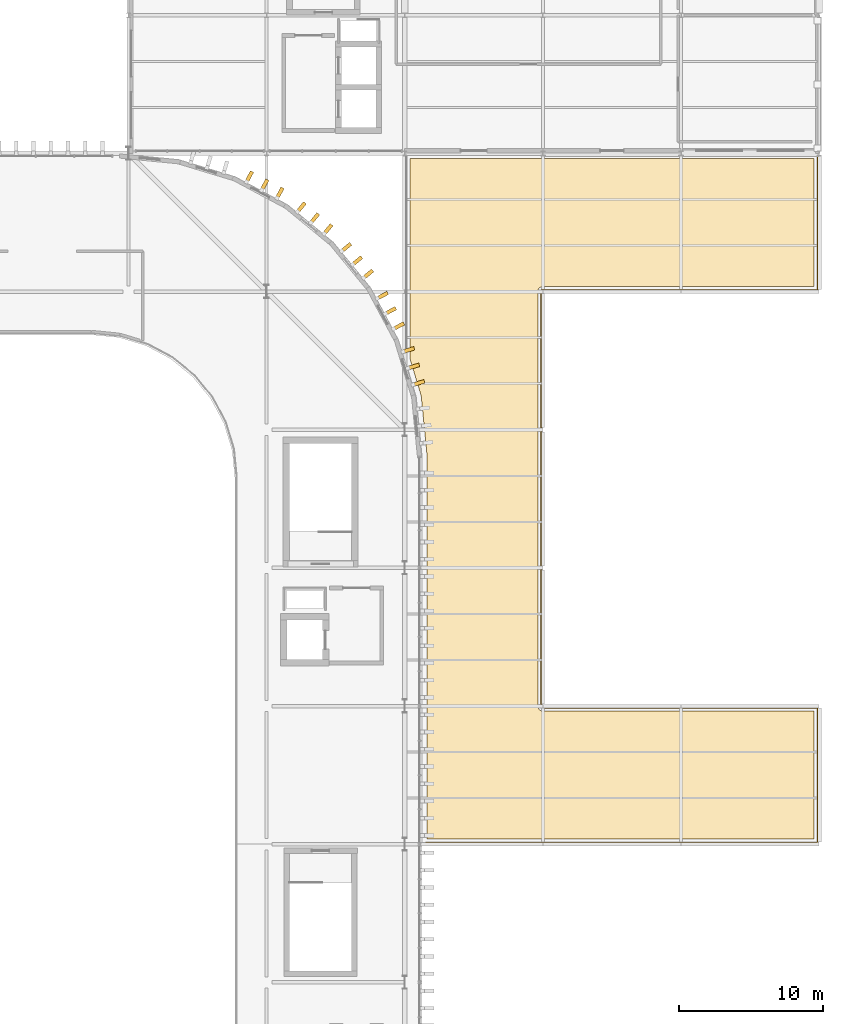
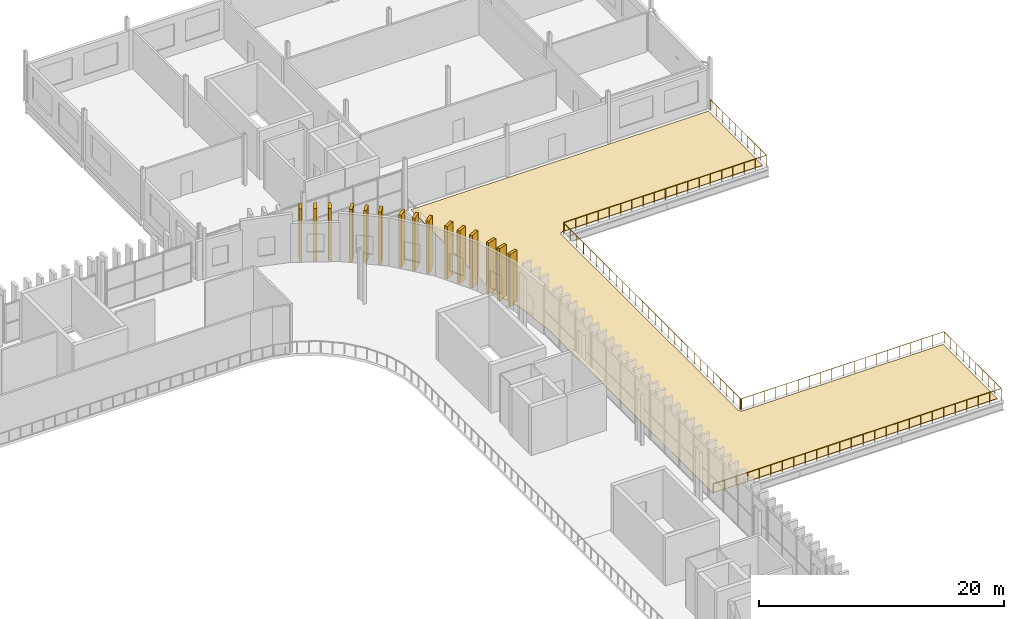
# One storey, part 44 of 45: 16 coverings, 1 railing.
"""IFC4 building model written with IfcOpenShell, lengths in metres."""

from ifc_helpers import new_model, si_unit, direction, frame, origin, origin_2d, place, context, subcontext, project, spatial, polyline, rectangle, circle, outline, extrude, material, layer, layer_set, material_profile, profile_set, type_object, element, save


model = new_model("IFC4")

# Units and contexts
model_context = context("Model", 3, precision=1e-05, world=origin(), true_north=direction((0.0, 1.0)))
body_context = subcontext(model_context, "Body", "Model", "MODEL_VIEW")
ifc_project = project(units=[si_unit("LENGTHUNIT", "METRE"), si_unit("AREAUNIT", "SQUARE_METRE"), si_unit("VOLUMEUNIT", "CUBIC_METRE"), si_unit("PLANEANGLEUNIT", "RADIAN"), si_unit("MASSUNIT", "GRAM", prefix="KILO")], contexts=[model_context])

# Site, building, storey
site_placement = place(None, origin())
site = spatial("IfcSite", under=ifc_project, at=site_placement, CompositionType="ELEMENT")
building_placement = place(site_placement, origin())
building = spatial("IfcBuilding", under=site, at=building_placement, Name="Caelomonte Colonnade Arena", CompositionType="ELEMENT")
storey_placement = place(building_placement, frame((0.0, 0.0, 23.10009765625)))
storey = spatial("IfcBuildingStorey", under=building, at=storey_placement, Name="L05", CompositionType="ELEMENT", Elevation=23.10009765625)

# Coverings
ifc_material_1 = material(Name="Travertine colonnade arrival paving", Category="masonry")
ifc_layer = layer(ifc_material_1, 0.0400390625)
ifc_layer_set = layer_set([ifc_layer], Name="Travertine colonnade arrival paving")
covering_type_1 = type_object("IfcCoveringType", Name="ENV-CV-PAV25", PredefinedType="FLOORING", material=ifc_layer_set)
covering_placement = place(storey_placement, origin())
element("IfcCovering", 1, at=covering_placement, inside=storey, type_object=covering_type_1, Name="Media Sky Courtyard Terrace travertine terrace paving 6", PredefinedType="FLOORING", context=body_context, shape_type="SweptSolid", body=[
    extrude(outline(polyline([(164.75, 67.550048828125), (191.64990234375, 67.550048828125), (191.64990234375, 76.449951171875), (172.800048828125, 76.449951171875), (172.765625, 76.45166015625), (172.731689453125, 76.456787109375), (172.698486328125, 76.465087890625), (172.666015625, 76.4765625), (172.635009765625, 76.4912109375), (172.605712890625, 76.509033203125), (172.577880859375, 76.529296875), (172.552490234375, 76.552490234375), (172.529296875, 76.577880859375), (172.509033203125, 76.605712890625), (172.4912109375, 76.635009765625), (172.4765625, 76.666015625), (172.465087890625, 76.698486328125), (172.456787109375, 76.731689453125), (172.45166015625, 76.765625), (172.449951171875, 76.800048828125), (172.449951171875, 105.60009765625), (172.45166015625, 105.63427734375), (172.456787109375, 105.668212890625), (172.465087890625, 105.70166015625), (172.4765625, 105.73388671875), (172.4912109375, 105.764892578125), (172.509033203125, 105.79443359375), (172.529296875, 105.822021484375), (172.552490234375, 105.847412109375), (172.577880859375, 105.87060546875), (172.605712890625, 105.89111328125), (172.635009765625, 105.90869140625), (172.666015625, 105.92333984375), (172.698486328125, 105.934814453125), (172.731689453125, 105.943359375), (172.765625, 105.9482421875), (172.800048828125, 105.949951171875), (191.64990234375, 105.949951171875), (191.64990234375, 114.85009765625), (163.550048828125, 114.85009765625), (163.550048828125, 100.974609375), (164.331298828125, 98.3984375), (164.33984375, 98.365234375), (164.3447265625, 98.331298828125), (164.748291015625, 94.234375), (164.75, 94.199951171875), (164.75, 67.550048828125)])), origin(), (0.0, 0.0, 1.0), 0.039794921875),
])
ifc_material_2 = material(Name="Precast travertine cladding", Category="masonry")
ifc_material_profile = material_profile(ifc_material_2, rectangle(XDim=0.260009765625, YDim=0.85009765625, at=origin_2d()), Name="FIN260X850")
ifc_profile_set = profile_set([ifc_material_profile], Name="Precast travertine cladding")
covering_type_2 = type_object("IfcCoveringType", Name="ENV-FN-SHAFT", PredefinedType="CLADDING", material=ifc_profile_set)
for number, where, z_axis, x_axis, name in (
    (2, (164.150146484375, 99.240478515625, -0.16015625), (0.0, 0.0, 1.0), (0.290276326364, -0.956942868907, 0.0), "V1 L05 classical travertine vertical fin 72"),
    (3, (163.802001953125, 100.388916015625, -0.16015625), (0.0, 0.0, 1.0), (0.290276326364, -0.956942868907, 0.0), "V1 L05 classical travertine vertical fin 73"),
    (4, (163.45361328125, 101.537109375, -0.16015625), (0.0, 0.0, 1.0), (0.290276326364, -0.956942868907, 0.0), "V1 L05 classical travertine vertical fin 74"),
    (5, (162.768310546875, 103.19189453125, -0.16015625), (0.0, 0.0, 1.0), (0.471396736826, -0.881921264348, 0.0), "V1 L05 classical travertine vertical fin 75"),
    (6, (162.202392578125, 104.250244140625, -0.16015625), (0.0, 0.0, 1.0), (0.471396736826, -0.881921264348, 0.0), "V1 L05 classical travertine vertical fin 76"),
    (7, (161.63671875, 105.30859375, -0.16015625), (0.0, 0.0, 1.0), (0.471396736826, -0.881921264348, 0.0), "V1 L05 classical travertine vertical fin 77"),
    (8, (160.641845703125, 106.797607421875, -0.16015625), (0.0, 0.0, 1.0), (0.634413521313, -0.77299384472, 0.0), "V1 L05 classical travertine vertical fin 78"),
    (9, (159.880615234375, 107.72509765625, -0.16015625), (0.0, 0.0, 1.0), (0.634413521313, -0.77299384472, 0.0), "V1 L05 classical travertine vertical fin 79"),
    (10, (159.119140625, 108.65283203125, -0.16015625), (0.0, 0.0, 1.0), (0.634413521313, -0.77299384472, 0.0), "V1 L05 classical travertine vertical fin 80"),
    (11, (157.852783203125, 109.919189453125, -0.16015625), (0.0, 0.0, 1.0), (0.77299384472, -0.634413521313, 0.0), "V1 L05 classical travertine vertical fin 81"),
    (12, (156.92529296875, 110.680419921875, -0.16015625), (0.0, 0.0, 1.0), (0.77299384472, -0.634413521313, 0.0), "V1 L05 classical travertine vertical fin 82"),
    (13, (155.99755859375, 111.44189453125, -0.16015625), (0.0, 0.0, 1.0), (0.77299384472, -0.634413521313, 0.0), "V1 L05 classical travertine vertical fin 83"),
    (14, (154.508544921875, 112.436767578125, -0.16015625), (0.0, 0.0, 1.0), (0.881921264348, -0.471396736826, 0.0), "V1 L05 classical travertine vertical fin 84"),
    (15, (153.4501953125, 113.00244140625, -0.16015625), (0.0, 0.0, 1.0), (0.881921264348, -0.471396736826, 0.0), "V1 L05 classical travertine vertical fin 85"),
    (16, (152.391845703125, 113.568115234375, -0.16015625), (0.0, 0.0, 1.0), (0.881921264348, -0.471396736826, 0.0), "V1 L05 classical travertine vertical fin 86"),
):
    element("IfcCovering", number, at=place(storey_placement, frame(where, z_axis=z_axis, x_axis=x_axis)), inside=storey, type_object=covering_type_2, Name=name, PredefinedType="CLADDING", context=body_context, shape_type="SweptSolid", body=[
        extrude(rectangle(XDim=0.260009765625, YDim=0.85009765625, at=origin_2d()), origin(), (0.0, 0.0, 1.0), 5.260009765625),
    ])

# Railing
ifc_material_3 = material(Name="Travertine limestone and bronze balustrade", Category="masonry")
railing_type = type_object("IfcRailingType", Name="ENV-RL-BAL1", PredefinedType="BALUSTRADE", material=ifc_material_3)
railing_placement = place(storey_placement, frame((191.8798828125, 114.919921875, 0.0)))
element("IfcRailing", 17, at=railing_placement, inside=storey, type_object=railing_type, Name="Media Sky Courtyard Terrace perimeter guard 2", PredefinedType="BALUSTRADE", context=body_context, shape_type="SweptSolid", body=[
    extrude(circle(Radius=0.02392578125, at=origin_2d()), frame((0.0, 0.0, 1.09619140625), z_axis=(0.0, -1.0, 0.0), x_axis=(1.0, 0.0, 0.0)), (0.0, 0.0, 1.0), 9.168701171875),
    extrude(circle(Radius=0.02392578125, at=origin_2d()), frame((-0.03125, -9.199951171875, 1.09619140625), z_axis=(-1.0, 0.0, 0.0), x_axis=(0.0, -1.0, 0.0)), (0.0, 0.0, 1.0), 19.017333984375),
    extrude(circle(Radius=0.02392578125, at=origin_2d()), frame((-19.111083984375, -9.201171875, 1.09619140625), z_axis=(-0.999168053101, -0.040782369514, 0.0), x_axis=(0.040782369514, -0.999168053101, 0.0)), (0.0, 0.0, 1.0), 0.050048828125),
    extrude(circle(Radius=0.02392578125, at=origin_2d()), frame((-19.122802734375, -9.205078125, 1.09619140625), z_axis=(-0.989090177882, -0.147311303089, 0.0), x_axis=(0.147311303089, -0.989090177882, 0.0)), (0.0, 0.0, 1.0), 0.050048828125),
    extrude(circle(Radius=0.02392578125, at=origin_2d()), frame((-19.133544921875, -9.2099609375, 1.09619140625), z_axis=(-0.968917710624, -0.247383245266, 0.0), x_axis=(0.247383245266, -0.968917710624, 0.0)), (0.0, 0.0, 1.0), 0.050048828125),
    extrude(circle(Radius=0.02392578125, at=origin_2d()), frame((-19.144287109375, -9.215576171875, 1.09619140625), z_axis=(-0.942214690279, -0.335009667655, 0.0), x_axis=(0.335009667655, -0.942214690279, 0.0)), (0.0, 0.0, 1.0), 0.050048828125),
    extrude(circle(Radius=0.02392578125, at=origin_2d()), frame((-19.154052734375, -9.222412109375, 1.09619140625), z_axis=(-0.902481037784, -0.430729586215, 0.0), x_axis=(0.430729586215, -0.902481037784, 0.0)), (0.0, 0.0, 1.0), 0.050048828125),
    extrude(circle(Radius=0.02392578125, at=origin_2d()), frame((-19.1630859375, -9.23046875, 1.09619140625), z_axis=(-0.853796175794, -0.520607424265, 0.0), x_axis=(0.520607424265, -0.853796175794, 0.0)), (0.0, 0.0, 1.0), 0.050048828125),
    extrude(circle(Radius=0.02392578125, at=origin_2d()), frame((-19.171875, -9.238525390625, 1.09619140625), z_axis=(-0.812323733592, -0.583206783091, 0.0), x_axis=(0.583206783091, -0.812323733592, 0.0)), (0.0, 0.0, 1.0), 0.050048828125),
    extrude(circle(Radius=0.02392578125, at=origin_2d()), frame((-19.178955078125, -9.248291015625, 1.09619140625), z_axis=(-0.737154140201, -0.675724628517, 0.0), x_axis=(0.675724628517, -0.737154140201, 0.0)), (0.0, 0.0, 1.0), 0.050048828125),
    extrude(circle(Radius=0.02392578125, at=origin_2d()), frame((-19.185546875, -9.258544921875, 1.09619140625), z_axis=(-0.66436383883, -0.747409318684, 0.0), x_axis=(0.747409318684, -0.66436383883, 0.0)), (0.0, 0.0, 1.0), 0.050048828125),
    extrude(circle(Radius=0.02392578125, at=origin_2d()), frame((-19.191650390625, -9.268798828125, 1.09619140625), z_axis=(-0.60667331935, -0.794951246045, 0.0), x_axis=(0.794951246045, -0.60667331935, 0.0)), (0.0, 0.0, 1.0), 0.050048828125),
    extrude(circle(Radius=0.02392578125, at=origin_2d()), frame((-19.195556640625, -9.280029296875, 1.09619140625), z_axis=(-0.511483859768, -0.85929288441, 0.0), x_axis=(0.85929288441, -0.511483859768, 0.0)), (0.0, 0.0, 1.0), 0.050048828125),
    extrude(circle(Radius=0.02392578125, at=origin_2d()), frame((-19.198974609375, -9.291748046875, 1.09619140625), z_axis=(-0.421730749716, -0.906721111889, 0.0), x_axis=(0.906721111889, -0.421730749716, 0.0)), (0.0, 0.0, 1.0), 0.050048828125),
    extrude(circle(Radius=0.02392578125, at=origin_2d()), frame((-19.200927734375, -9.303466796875, 1.09619140625), z_axis=(-0.328520624941, -0.944496796706, 0.0), x_axis=(0.944496796706, -0.328520624941, 0.0)), (0.0, 0.0, 1.0), 0.050048828125),
    extrude(circle(Radius=0.02392578125, at=origin_2d()), frame((-19.202392578125, -9.3154296875, 1.09619140625), z_axis=(-0.247383245266, -0.968917710624, 0.0), x_axis=(0.968917710624, -0.247383245266, 0.0)), (0.0, 0.0, 1.0), 0.050048828125),
    extrude(circle(Radius=0.02392578125, at=origin_2d()), frame((-19.2021484375, -9.32763671875, 1.09619140625), z_axis=(-0.147311303089, -0.989090177882, 0.0), x_axis=(0.989090177882, -0.147311303089, 0.0)), (0.0, 0.0, 1.0), 0.050048828125),
    extrude(circle(Radius=0.02392578125, at=origin_2d()), frame((-19.201171875, -9.33935546875, 1.09619140625), z_axis=(-0.062378286155, -0.998052578483, 0.0), x_axis=(0.998052578483, -0.062378286155, 0.0)), (0.0, 0.0, 1.0), 0.050048828125),
    extrude(circle(Radius=0.02392578125, at=origin_2d()), frame((-19.199951171875, -9.35107421875, 1.09619140625), z_axis=(0.0, -1.0, 0.0), x_axis=(1.0, 0.0, 0.0)), (0.0, 0.0, 1.0), 28.737548828125),
    extrude(circle(Radius=0.02392578125, at=origin_2d()), frame((-19.197998046875, -38.151123046875, 1.09619140625), z_axis=(0.06111006328, -0.998131033565, 0.0), x_axis=(0.998131033565, 0.06111006328, 0.0)), (0.0, 0.0, 1.0), 0.050048828125),
    extrude(circle(Radius=0.02392578125, at=origin_2d()), frame((-19.194580078125, -38.162841796875, 1.09619140625), z_axis=(0.147311303089, -0.989090177882, 0.0), x_axis=(0.989090177882, 0.147311303089, 0.0)), (0.0, 0.0, 1.0), 0.050048828125),
    extrude(circle(Radius=0.02392578125, at=origin_2d()), frame((-19.189697265625, -38.173583984375, 1.09619140625), z_axis=(0.247383245266, -0.968917710624, 0.0), x_axis=(0.968917710624, 0.247383245266, 0.0)), (0.0, 0.0, 1.0), 0.050048828125),
    extrude(circle(Radius=0.02392578125, at=origin_2d()), frame((-19.18408203125, -38.184326171875, 1.09619140625), z_axis=(0.335009667655, -0.942214690279, 0.0), x_axis=(0.942214690279, 0.335009667655, 0.0)), (0.0, 0.0, 1.0), 0.050048828125),
    extrude(circle(Radius=0.02392578125, at=origin_2d()), frame((-19.177734375, -38.1943359375, 1.09619140625), z_axis=(0.413802944301, -0.910366477463, 0.0), x_axis=(0.910366477463, 0.413802944301, 0.0)), (0.0, 0.0, 1.0), 0.050048828125),
    extrude(circle(Radius=0.02392578125, at=origin_2d()), frame((-19.16943359375, -38.203125, 1.09619140625), z_axis=(0.520607424265, -0.853796175794, 0.0), x_axis=(0.853796175794, 0.520607424265, 0.0)), (0.0, 0.0, 1.0), 0.050048828125),
    extrude(circle(Radius=0.02392578125, at=origin_2d()), frame((-19.1611328125, -38.211669921875, 1.09619140625), z_axis=(0.596702766345, -0.802462340946, 0.0), x_axis=(0.802462340946, 0.596702766345, 0.0)), (0.0, 0.0, 1.0), 0.050048828125),
    extrude(circle(Radius=0.02392578125, at=origin_2d()), frame((-19.15185546875, -38.219482421875, 1.09619140625), z_axis=(0.66436383883, -0.747409318684, 0.0), x_axis=(0.747409318684, 0.66436383883, 0.0)), (0.0, 0.0, 1.0), 0.050048828125),
    extrude(circle(Radius=0.02392578125, at=origin_2d()), frame((-19.141357421875, -38.2255859375, 1.09619140625), z_axis=(0.747409318684, -0.66436383883, 0.0), x_axis=(0.66436383883, 0.747409318684, 0.0)), (0.0, 0.0, 1.0), 0.050048828125),
    extrude(circle(Radius=0.02392578125, at=origin_2d()), frame((-19.130859375, -38.231201171875, 1.09619140625), z_axis=(0.802462340946, -0.596702766345, 0.0), x_axis=(0.596702766345, 0.802462340946, 0.0)), (0.0, 0.0, 1.0), 0.050048828125),
    extrude(circle(Radius=0.02392578125, at=origin_2d()), frame((-19.119873046875, -38.236083984375, 1.09619140625), z_axis=(0.853796175794, -0.520607424265, 0.0), x_axis=(0.520607424265, 0.853796175794, 0.0)), (0.0, 0.0, 1.0), 0.050048828125),
    extrude(circle(Radius=0.02392578125, at=origin_2d()), frame((-19.10791015625, -38.23876953125, 1.09619140625), z_axis=(0.910366477463, -0.413802944301, 0.0), x_axis=(0.413802944301, 0.910366477463, 0.0)), (0.0, 0.0, 1.0), 0.050048828125),
    extrude(circle(Radius=0.02392578125, at=origin_2d()), frame((-19.09619140625, -38.2412109375, 1.09619140625), z_axis=(0.942214690279, -0.335009667655, 0.0), x_axis=(0.335009667655, 0.942214690279, 0.0)), (0.0, 0.0, 1.0), 0.050048828125),
    extrude(circle(Radius=0.02392578125, at=origin_2d()), frame((-19.08447265625, -38.242431640625, 1.09619140625), z_axis=(0.968917710624, -0.247383245266, 0.0), x_axis=(0.247383245266, 0.968917710624, 0.0)), (0.0, 0.0, 1.0), 0.050048828125),
    extrude(circle(Radius=0.02392578125, at=origin_2d()), frame((-19.072265625, -38.2421875, 1.09619140625), z_axis=(0.989090177882, -0.147311303089, 0.0), x_axis=(0.147311303089, 0.989090177882, 0.0)), (0.0, 0.0, 1.0), 0.050048828125),
    extrude(circle(Radius=0.02392578125, at=origin_2d()), frame((-19.060546875, -38.2412109375, 1.09619140625), z_axis=(0.998131033565, -0.06111006328, 0.0), x_axis=(0.06111006328, 0.998131033565, 0.0)), (0.0, 0.0, 1.0), 0.050048828125),
    extrude(circle(Radius=0.02392578125, at=origin_2d()), frame((-19.048583984375, -38.239990234375, 1.09619140625), z_axis=(1.0, 0.0, 0.0), x_axis=(0.0, 1.0, 0.0)), (0.0, 0.0, 1.0), 19.017333984375),
    extrude(circle(Radius=0.02392578125, at=origin_2d()), frame((0.0, -38.271240234375, 1.09619140625), z_axis=(0.0, -1.0, 0.0), x_axis=(1.0, 0.0, 0.0)), (0.0, 0.0, 1.0), 9.29736328125),
    extrude(circle(Radius=0.02392578125, at=origin_2d()), frame((-0.03125, -47.599853515625, 1.09619140625), z_axis=(-1.0, 0.0, 0.0), x_axis=(0.0, -1.0, 0.0)), (0.0, 0.0, 1.0), 27.168701171875),
    extrude(circle(Radius=0.02099609375, at=origin_2d()), origin(), (0.0, 0.0, 1.0), 1.068115234375),
    extrude(circle(Radius=0.02099609375, at=origin_2d()), frame((0.0, -1.022216796875, 0.0)), (0.0, 0.0, 1.0), 1.068115234375),
    extrude(circle(Radius=0.02099609375, at=origin_2d()), frame((0.0, -2.04443359375, 0.0)), (0.0, 0.0, 1.0), 1.068115234375),
    extrude(circle(Radius=0.02099609375, at=origin_2d()), frame((0.0, -3.066650390625, 0.0)), (0.0, 0.0, 1.0), 1.068115234375),
    extrude(circle(Radius=0.02099609375, at=origin_2d()), frame((0.0, -4.0888671875, 0.0)), (0.0, 0.0, 1.0), 1.068115234375),
    extrude(circle(Radius=0.02099609375, at=origin_2d()), frame((0.0, -5.111083984375, 0.0)), (0.0, 0.0, 1.0), 1.068115234375),
    extrude(circle(Radius=0.02099609375, at=origin_2d()), frame((0.0, -6.13330078125, 0.0)), (0.0, 0.0, 1.0), 1.068115234375),
    extrude(circle(Radius=0.02099609375, at=origin_2d()), frame((0.0, -7.155517578125, 0.0)), (0.0, 0.0, 1.0), 1.068115234375),
    extrude(circle(Radius=0.02099609375, at=origin_2d()), frame((0.0, -8.177734375, 0.0)), (0.0, 0.0, 1.0), 1.068115234375),
    extrude(circle(Radius=0.02099609375, at=origin_2d()), frame((0.0, -9.199951171875, 0.0)), (0.0, 0.0, 1.0), 1.068115234375),
    extrude(circle(Radius=0.02099609375, at=origin_2d()), frame((-1.06005859375, -9.199951171875, 0.0)), (0.0, 0.0, 1.0), 1.068115234375),
    extrude(circle(Radius=0.02099609375, at=origin_2d()), frame((-2.119873046875, -9.199951171875, 0.0)), (0.0, 0.0, 1.0), 1.068115234375),
    extrude(circle(Radius=0.02099609375, at=origin_2d()), frame((-3.179931640625, -9.199951171875, 0.0)), (0.0, 0.0, 1.0), 1.068115234375),
    extrude(circle(Radius=0.02099609375, at=origin_2d()), frame((-4.239990234375, -9.199951171875, 0.0)), (0.0, 0.0, 1.0), 1.068115234375),
    extrude(circle(Radius=0.02099609375, at=origin_2d()), frame((-5.300048828125, -9.199951171875, 0.0)), (0.0, 0.0, 1.0), 1.068115234375),
    extrude(circle(Radius=0.02099609375, at=origin_2d()), frame((-6.35986328125, -9.199951171875, 0.0)), (0.0, 0.0, 1.0), 1.068115234375),
    extrude(circle(Radius=0.02099609375, at=origin_2d()), frame((-7.419921875, -9.199951171875, 0.0)), (0.0, 0.0, 1.0), 1.068115234375),
    extrude(circle(Radius=0.02099609375, at=origin_2d()), frame((-8.47998046875, -9.199951171875, 0.0)), (0.0, 0.0, 1.0), 1.068115234375),
    extrude(circle(Radius=0.02099609375, at=origin_2d()), frame((-9.5400390625, -9.199951171875, 0.0)), (0.0, 0.0, 1.0), 1.068115234375),
    extrude(circle(Radius=0.02099609375, at=origin_2d()), frame((-10.599853515625, -9.199951171875, 0.0)), (0.0, 0.0, 1.0), 1.068115234375),
    extrude(circle(Radius=0.02099609375, at=origin_2d()), frame((-11.659912109375, -9.199951171875, 0.0)), (0.0, 0.0, 1.0), 1.068115234375),
    extrude(circle(Radius=0.02099609375, at=origin_2d()), frame((-12.719970703125, -9.199951171875, 0.0)), (0.0, 0.0, 1.0), 1.068115234375),
    extrude(circle(Radius=0.02099609375, at=origin_2d()), frame((-13.77978515625, -9.199951171875, 0.0)), (0.0, 0.0, 1.0), 1.068115234375),
    extrude(circle(Radius=0.02099609375, at=origin_2d()), frame((-14.83984375, -9.199951171875, 0.0)), (0.0, 0.0, 1.0), 1.068115234375),
    extrude(circle(Radius=0.02099609375, at=origin_2d()), frame((-15.89990234375, -9.199951171875, 0.0)), (0.0, 0.0, 1.0), 1.068115234375),
    extrude(circle(Radius=0.02099609375, at=origin_2d()), frame((-16.9599609375, -9.199951171875, 0.0)), (0.0, 0.0, 1.0), 1.068115234375),
    extrude(circle(Radius=0.02099609375, at=origin_2d()), frame((-18.019775390625, -9.199951171875, 0.0)), (0.0, 0.0, 1.0), 1.068115234375),
    extrude(circle(Radius=0.02099609375, at=origin_2d()), frame((-19.079833984375, -9.199951171875, 0.0)), (0.0, 0.0, 1.0), 1.068115234375),
    extrude(circle(Radius=0.02099609375, at=origin_2d()), frame((-19.136474609375, -9.214111328125, 0.0)), (0.0, 0.0, 1.0), 1.068115234375),
    extrude(circle(Radius=0.02099609375, at=origin_2d()), frame((-19.1796875, -9.253173828125, 0.0)), (0.0, 0.0, 1.0), 1.068115234375),
    extrude(circle(Radius=0.02099609375, at=origin_2d()), frame((-19.19921875, -9.30810546875, 0.0)), (0.0, 0.0, 1.0), 1.068115234375),
    extrude(circle(Radius=0.02099609375, at=origin_2d()), frame((-19.199951171875, -10.386474609375, 0.0)), (0.0, 0.0, 1.0), 1.068115234375),
    extrude(circle(Radius=0.02099609375, at=origin_2d()), frame((-19.199951171875, -11.453125, 0.0)), (0.0, 0.0, 1.0), 1.068115234375),
    extrude(circle(Radius=0.02099609375, at=origin_2d()), frame((-19.199951171875, -12.519775390625, 0.0)), (0.0, 0.0, 1.0), 1.068115234375),
    extrude(circle(Radius=0.02099609375, at=origin_2d()), frame((-19.199951171875, -13.58642578125, 0.0)), (0.0, 0.0, 1.0), 1.068115234375),
    extrude(circle(Radius=0.02099609375, at=origin_2d()), frame((-19.199951171875, -14.653076171875, 0.0)), (0.0, 0.0, 1.0), 1.068115234375),
    extrude(circle(Radius=0.02099609375, at=origin_2d()), frame((-19.199951171875, -15.7197265625, 0.0)), (0.0, 0.0, 1.0), 1.068115234375),
    extrude(circle(Radius=0.02099609375, at=origin_2d()), frame((-19.199951171875, -16.78662109375, 0.0)), (0.0, 0.0, 1.0), 1.068115234375),
    extrude(circle(Radius=0.02099609375, at=origin_2d()), frame((-19.199951171875, -17.853271484375, 0.0)), (0.0, 0.0, 1.0), 1.068115234375),
    extrude(circle(Radius=0.02099609375, at=origin_2d()), frame((-19.199951171875, -18.919921875, 0.0)), (0.0, 0.0, 1.0), 1.068115234375),
    extrude(circle(Radius=0.02099609375, at=origin_2d()), frame((-19.199951171875, -19.986572265625, 0.0)), (0.0, 0.0, 1.0), 1.068115234375),
    extrude(circle(Radius=0.02099609375, at=origin_2d()), frame((-19.199951171875, -21.05322265625, 0.0)), (0.0, 0.0, 1.0), 1.068115234375),
    extrude(circle(Radius=0.02099609375, at=origin_2d()), frame((-19.199951171875, -22.119873046875, 0.0)), (0.0, 0.0, 1.0), 1.068115234375),
    extrude(circle(Radius=0.02099609375, at=origin_2d()), frame((-19.199951171875, -23.1865234375, 0.0)), (0.0, 0.0, 1.0), 1.068115234375),
    extrude(circle(Radius=0.02099609375, at=origin_2d()), frame((-19.199951171875, -24.253173828125, 0.0)), (0.0, 0.0, 1.0), 1.068115234375),
    extrude(circle(Radius=0.02099609375, at=origin_2d()), frame((-19.199951171875, -25.31982421875, 0.0)), (0.0, 0.0, 1.0), 1.068115234375),
    extrude(circle(Radius=0.02099609375, at=origin_2d()), frame((-19.199951171875, -26.386474609375, 0.0)), (0.0, 0.0, 1.0), 1.068115234375),
    extrude(circle(Radius=0.02099609375, at=origin_2d()), frame((-19.199951171875, -27.453125, 0.0)), (0.0, 0.0, 1.0), 1.068115234375),
    extrude(circle(Radius=0.02099609375, at=origin_2d()), frame((-19.199951171875, -28.519775390625, 0.0)), (0.0, 0.0, 1.0), 1.068115234375),
    extrude(circle(Radius=0.02099609375, at=origin_2d()), frame((-19.199951171875, -29.58642578125, 0.0)), (0.0, 0.0, 1.0), 1.068115234375),
    extrude(circle(Radius=0.02099609375, at=origin_2d()), frame((-19.199951171875, -30.653076171875, 0.0)), (0.0, 0.0, 1.0), 1.068115234375),
    extrude(circle(Radius=0.02099609375, at=origin_2d()), frame((-19.199951171875, -31.719970703125, 0.0)), (0.0, 0.0, 1.0), 1.068115234375),
    extrude(circle(Radius=0.02099609375, at=origin_2d()), frame((-19.199951171875, -32.78662109375, 0.0)), (0.0, 0.0, 1.0), 1.068115234375),
    extrude(circle(Radius=0.02099609375, at=origin_2d()), frame((-19.199951171875, -33.853271484375, 0.0)), (0.0, 0.0, 1.0), 1.068115234375),
    extrude(circle(Radius=0.02099609375, at=origin_2d()), frame((-19.199951171875, -34.919921875, 0.0)), (0.0, 0.0, 1.0), 1.068115234375),
    extrude(circle(Radius=0.02099609375, at=origin_2d()), frame((-19.199951171875, -35.986572265625, 0.0)), (0.0, 0.0, 1.0), 1.068115234375),
    extrude(circle(Radius=0.02099609375, at=origin_2d()), frame((-19.199951171875, -37.05322265625, 0.0)), (0.0, 0.0, 1.0), 1.068115234375),
    extrude(circle(Radius=0.02099609375, at=origin_2d()), frame((-19.199951171875, -38.119873046875, 0.0)), (0.0, 0.0, 1.0), 1.068115234375),
    extrude(circle(Radius=0.02099609375, at=origin_2d()), frame((-19.185791015625, -38.176513671875, 0.0)), (0.0, 0.0, 1.0), 1.068115234375),
    extrude(circle(Radius=0.02099609375, at=origin_2d()), frame((-19.146484375, -38.2197265625, 0.0)), (0.0, 0.0, 1.0), 1.068115234375),
    extrude(circle(Radius=0.02099609375, at=origin_2d()), frame((-19.091796875, -38.2392578125, 0.0)), (0.0, 0.0, 1.0), 1.068115234375),
    extrude(circle(Radius=0.02099609375, at=origin_2d()), frame((-18.019775390625, -38.239990234375, 0.0)), (0.0, 0.0, 1.0), 1.068115234375),
    extrude(circle(Radius=0.02099609375, at=origin_2d()), frame((-16.9599609375, -38.239990234375, 0.0)), (0.0, 0.0, 1.0), 1.068115234375),
    extrude(circle(Radius=0.02099609375, at=origin_2d()), frame((-15.89990234375, -38.239990234375, 0.0)), (0.0, 0.0, 1.0), 1.068115234375),
    extrude(circle(Radius=0.02099609375, at=origin_2d()), frame((-14.83984375, -38.239990234375, 0.0)), (0.0, 0.0, 1.0), 1.068115234375),
    extrude(circle(Radius=0.02099609375, at=origin_2d()), frame((-13.77978515625, -38.239990234375, 0.0)), (0.0, 0.0, 1.0), 1.068115234375),
    extrude(circle(Radius=0.02099609375, at=origin_2d()), frame((-12.719970703125, -38.239990234375, 0.0)), (0.0, 0.0, 1.0), 1.068115234375),
    extrude(circle(Radius=0.02099609375, at=origin_2d()), frame((-11.659912109375, -38.239990234375, 0.0)), (0.0, 0.0, 1.0), 1.068115234375),
    extrude(circle(Radius=0.02099609375, at=origin_2d()), frame((-10.599853515625, -38.239990234375, 0.0)), (0.0, 0.0, 1.0), 1.068115234375),
    extrude(circle(Radius=0.02099609375, at=origin_2d()), frame((-9.5400390625, -38.239990234375, 0.0)), (0.0, 0.0, 1.0), 1.068115234375),
    extrude(circle(Radius=0.02099609375, at=origin_2d()), frame((-8.47998046875, -38.239990234375, 0.0)), (0.0, 0.0, 1.0), 1.068115234375),
    extrude(circle(Radius=0.02099609375, at=origin_2d()), frame((-7.419921875, -38.239990234375, 0.0)), (0.0, 0.0, 1.0), 1.068115234375),
    extrude(circle(Radius=0.02099609375, at=origin_2d()), frame((-6.35986328125, -38.239990234375, 0.0)), (0.0, 0.0, 1.0), 1.068115234375),
    extrude(circle(Radius=0.02099609375, at=origin_2d()), frame((-5.300048828125, -38.239990234375, 0.0)), (0.0, 0.0, 1.0), 1.068115234375),
    extrude(circle(Radius=0.02099609375, at=origin_2d()), frame((-4.239990234375, -38.239990234375, 0.0)), (0.0, 0.0, 1.0), 1.068115234375),
    extrude(circle(Radius=0.02099609375, at=origin_2d()), frame((-3.179931640625, -38.239990234375, 0.0)), (0.0, 0.0, 1.0), 1.068115234375),
    extrude(circle(Radius=0.02099609375, at=origin_2d()), frame((-2.119873046875, -38.239990234375, 0.0)), (0.0, 0.0, 1.0), 1.068115234375),
    extrude(circle(Radius=0.02099609375, at=origin_2d()), frame((-1.06005859375, -38.239990234375, 0.0)), (0.0, 0.0, 1.0), 1.068115234375),
    extrude(circle(Radius=0.02099609375, at=origin_2d()), frame((0.0, -38.239990234375, 0.0)), (0.0, 0.0, 1.0), 1.068115234375),
    extrude(circle(Radius=0.02099609375, at=origin_2d()), frame((0.0, -39.280029296875, 0.0)), (0.0, 0.0, 1.0), 1.068115234375),
    extrude(circle(Radius=0.02099609375, at=origin_2d()), frame((0.0, -40.320068359375, 0.0)), (0.0, 0.0, 1.0), 1.068115234375),
    extrude(circle(Radius=0.02099609375, at=origin_2d()), frame((0.0, -41.35986328125, 0.0)), (0.0, 0.0, 1.0), 1.068115234375),
    extrude(circle(Radius=0.02099609375, at=origin_2d()), frame((0.0, -42.39990234375, 0.0)), (0.0, 0.0, 1.0), 1.068115234375),
    extrude(circle(Radius=0.02099609375, at=origin_2d()), frame((0.0, -43.43994140625, 0.0)), (0.0, 0.0, 1.0), 1.068115234375),
    extrude(circle(Radius=0.02099609375, at=origin_2d()), frame((0.0, -44.47998046875, 0.0)), (0.0, 0.0, 1.0), 1.068115234375),
    extrude(circle(Radius=0.02099609375, at=origin_2d()), frame((0.0, -45.519775390625, 0.0)), (0.0, 0.0, 1.0), 1.068115234375),
    extrude(circle(Radius=0.02099609375, at=origin_2d()), frame((0.0, -46.559814453125, 0.0)), (0.0, 0.0, 1.0), 1.068115234375),
    extrude(circle(Radius=0.02099609375, at=origin_2d()), frame((0.0, -47.599853515625, 0.0)), (0.0, 0.0, 1.0), 1.068115234375),
    extrude(circle(Radius=0.02099609375, at=origin_2d()), frame((-1.087890625, -47.599853515625, 0.0)), (0.0, 0.0, 1.0), 1.068115234375),
    extrude(circle(Radius=0.02099609375, at=origin_2d()), frame((-2.176025390625, -47.599853515625, 0.0)), (0.0, 0.0, 1.0), 1.068115234375),
    extrude(circle(Radius=0.02099609375, at=origin_2d()), frame((-3.263916015625, -47.599853515625, 0.0)), (0.0, 0.0, 1.0), 1.068115234375),
    extrude(circle(Radius=0.02099609375, at=origin_2d()), frame((-4.35205078125, -47.599853515625, 0.0)), (0.0, 0.0, 1.0), 1.068115234375),
    extrude(circle(Radius=0.02099609375, at=origin_2d()), frame((-5.43994140625, -47.599853515625, 0.0)), (0.0, 0.0, 1.0), 1.068115234375),
    extrude(circle(Radius=0.02099609375, at=origin_2d()), frame((-6.528076171875, -47.599853515625, 0.0)), (0.0, 0.0, 1.0), 1.068115234375),
    extrude(circle(Radius=0.02099609375, at=origin_2d()), frame((-7.615966796875, -47.599853515625, 0.0)), (0.0, 0.0, 1.0), 1.068115234375),
    extrude(circle(Radius=0.02099609375, at=origin_2d()), frame((-8.7041015625, -47.599853515625, 0.0)), (0.0, 0.0, 1.0), 1.068115234375),
    extrude(circle(Radius=0.02099609375, at=origin_2d()), frame((-9.7919921875, -47.599853515625, 0.0)), (0.0, 0.0, 1.0), 1.068115234375),
    extrude(circle(Radius=0.02099609375, at=origin_2d()), frame((-10.8798828125, -47.599853515625, 0.0)), (0.0, 0.0, 1.0), 1.068115234375),
    extrude(circle(Radius=0.02099609375, at=origin_2d()), frame((-11.968017578125, -47.599853515625, 0.0)), (0.0, 0.0, 1.0), 1.068115234375),
    extrude(circle(Radius=0.02099609375, at=origin_2d()), frame((-13.055908203125, -47.599853515625, 0.0)), (0.0, 0.0, 1.0), 1.068115234375),
    extrude(circle(Radius=0.02099609375, at=origin_2d()), frame((-14.14404296875, -47.599853515625, 0.0)), (0.0, 0.0, 1.0), 1.068115234375),
    extrude(circle(Radius=0.02099609375, at=origin_2d()), frame((-15.23193359375, -47.599853515625, 0.0)), (0.0, 0.0, 1.0), 1.068115234375),
    extrude(circle(Radius=0.02099609375, at=origin_2d()), frame((-16.320068359375, -47.599853515625, 0.0)), (0.0, 0.0, 1.0), 1.068115234375),
    extrude(circle(Radius=0.02099609375, at=origin_2d()), frame((-17.407958984375, -47.599853515625, 0.0)), (0.0, 0.0, 1.0), 1.068115234375),
    extrude(circle(Radius=0.02099609375, at=origin_2d()), frame((-18.495849609375, -47.599853515625, 0.0)), (0.0, 0.0, 1.0), 1.068115234375),
    extrude(circle(Radius=0.02099609375, at=origin_2d()), frame((-19.583984375, -47.599853515625, 0.0)), (0.0, 0.0, 1.0), 1.068115234375),
    extrude(circle(Radius=0.02099609375, at=origin_2d()), frame((-20.671875, -47.599853515625, 0.0)), (0.0, 0.0, 1.0), 1.068115234375),
    extrude(circle(Radius=0.02099609375, at=origin_2d()), frame((-21.760009765625, -47.599853515625, 0.0)), (0.0, 0.0, 1.0), 1.068115234375),
    extrude(circle(Radius=0.02099609375, at=origin_2d()), frame((-22.847900390625, -47.599853515625, 0.0)), (0.0, 0.0, 1.0), 1.068115234375),
    extrude(circle(Radius=0.02099609375, at=origin_2d()), frame((-23.93603515625, -47.599853515625, 0.0)), (0.0, 0.0, 1.0), 1.068115234375),
    extrude(circle(Radius=0.02099609375, at=origin_2d()), frame((-25.02392578125, -47.599853515625, 0.0)), (0.0, 0.0, 1.0), 1.068115234375),
    extrude(circle(Radius=0.02099609375, at=origin_2d()), frame((-26.112060546875, -47.599853515625, 0.0)), (0.0, 0.0, 1.0), 1.068115234375),
    extrude(circle(Radius=0.02099609375, at=origin_2d()), frame((-27.199951171875, -47.599853515625, 0.0)), (0.0, 0.0, 1.0), 1.068115234375),
])

save(model, "model.ifc")
